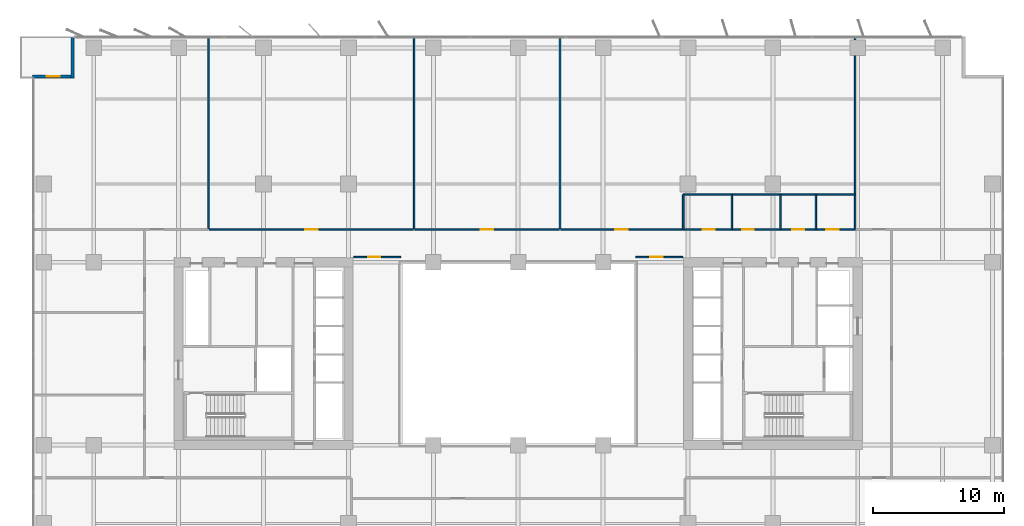
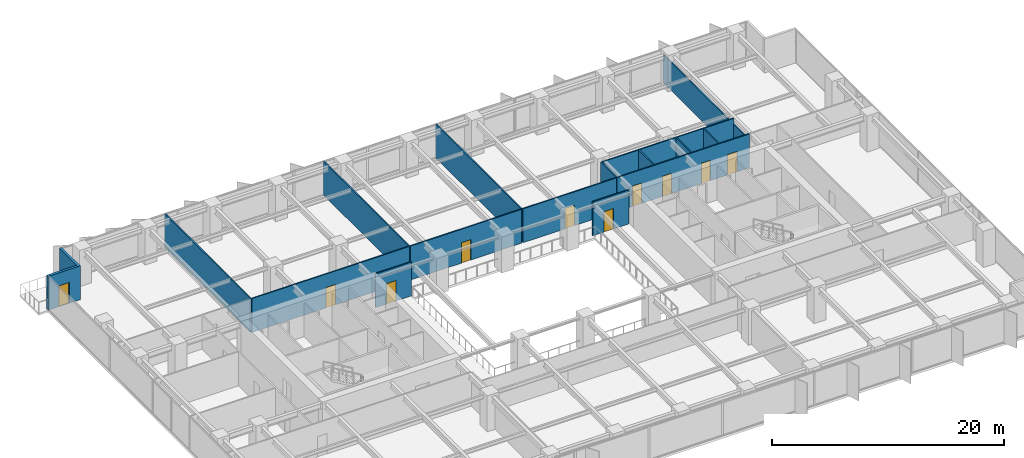
# One storey, part 15 of 20: 17 walls, 10 doors, 10 openings.
"""IFC4 building model written with IfcOpenShell, lengths in metres."""

from ifc_helpers import new_model, si_unit, direction, frame, frame_2d, origin, place, context, subcontext, project, spatial, rectangle, extrude, material, layer, layer_set, type_object, element, fill, save


model = new_model("IFC4")

# Units and contexts
model_context = context("Model", 3, precision=1e-05, world=origin(), true_north=direction((0.0, 1.0)))
body_context = subcontext(model_context, "Body", "Model", "MODEL_VIEW")
ifc_project = project(units=[si_unit("LENGTHUNIT", "METRE"), si_unit("AREAUNIT", "SQUARE_METRE"), si_unit("VOLUMEUNIT", "CUBIC_METRE"), si_unit("PLANEANGLEUNIT", "RADIAN"), si_unit("MASSUNIT", "GRAM", prefix="KILO")], contexts=[model_context])

# Site, building, storey
site_placement = place(None, origin())
site = spatial("IfcSite", under=ifc_project, at=site_placement, CompositionType="ELEMENT")
building_placement = place(site_placement, origin())
building = spatial("IfcBuilding", under=site, at=building_placement, Name="Putna Gate Headquarters", CompositionType="ELEMENT")
storey_placement = place(building_placement, frame((0.0, 0.0, 89.800048828125)))
storey = spatial("IfcBuildingStorey", under=building, at=storey_placement, Name="L21", CompositionType="ELEMENT", Elevation=89.800048828125)

# Wall
ifc_material_1 = material(Name="Precast concrete C40/50", Category="concrete")
ifc_layer_1 = layer(ifc_material_1, 0.239990234375)
ifc_layer_set_1 = layer_set([ifc_layer_1], Name="Precast concrete C40/50")
wall_type_1 = type_object("IfcWallType", Name="WALL-EXT-TERR-240", PredefinedType="STANDARD", material=ifc_layer_set_1)
wall_1_placement = place(storey_placement, frame((4.8798828125, 47.10009765625, 0.0), z_axis=(0.0, 0.0, 1.0), x_axis=(0.0, 1.0, 0.0)))
element("IfcWall", 1, at=wall_1_placement, inside=storey, type_object=wall_type_1, Name="L21 Corner Notch Return Wall NW-V", PredefinedType="STANDARD", context=body_context, shape_type="SweptSolid", body=[
    extrude(rectangle(XDim=3.199951171875, YDim=0.239990234375, at=frame_2d((1.60009765625, 0.0))), origin(), (0.0, 0.0, 1.0), 3.56494140625),
])

# Wall, opening, door
wall_2_placement = place(storey_placement, frame((1.800048828125, 47.219970703125, 0.0), z_axis=(0.0, 0.0, 1.0), x_axis=(1.0, 0.0, 0.0)))
wall_2 = element("IfcWall", 2, at=wall_2_placement, inside=storey, type_object=wall_type_1, Name="L21 Corner Notch Return Wall NW-H", PredefinedType="STANDARD", context=body_context, shape_type="SweptSolid", body=[
    extrude(rectangle(XDim=3.199951171875, YDim=0.239990234375, at=frame_2d((1.60009765625, 0.0))), origin(), (0.0, 0.0, 1.0), 3.56494140625),
])
opening_1_placement = place(wall_2_placement, frame((1.10009765625, 0.0, 0.0)))
opening_1 = element("IfcOpeningElement", 3, at=opening_1_placement, cuts=wall_2, Name="Opening TRD-1", PredefinedType="OPENING", context=body_context, shape_type="SweptSolid", body=[
    extrude(rectangle(XDim=1.0, YDim=2.199951171875, at=frame_2d((0.5, 1.10009765625))), frame((0.0, 0.1298828125, 0.0), z_axis=(0.0, -1.0, 0.0), x_axis=(1.0, 0.0, 0.0)), (0.0, 0.0, 1.0), 0.260009765625),
])
ifc_material_2 = material(Name="Thermally broken bronze glazed terrace door")
door_type_1 = type_object("IfcDoorType", Name="DOOR-TERR-EXT-1000", OperationType="NOTDEFINED", PredefinedType="DOOR", material=ifc_material_2)
door_1_placement = place(opening_1_placement, origin())
door_1 = element("IfcDoor", 4, at=door_1_placement, inside=storey, type_object=door_type_1, Name="L21 Spiral Sky Terrace Door NW", OperationType="SINGLE_SWING_RIGHT", OverallHeight=2.199951171875, OverallWidth=1.0, PredefinedType="DOOR", context=body_context, shape_type="SweptSolid", body=[
    extrude(rectangle(XDim=1.0, YDim=2.199951171875, at=frame_2d((0.5, 1.10009765625))), frame((0.0, 0.02490234375, 0.0), z_axis=(0.0, -1.0, 0.0), x_axis=(1.0, 0.0, 0.0)), (0.0, 0.0, 1.0), 0.050048828125),
])
fill(opening_1, door_1)

ifc_material_3 = material(Name="Acoustic gypsum board on metal stud")
ifc_layer_2 = layer(ifc_material_3, 0.1201171875)
ifc_layer_set_2 = layer_set([ifc_layer_2], Name="Acoustic gypsum board on metal stud")
wall_type_2 = type_object("IfcWallType", Name="WALL-PART-120", PredefinedType="PARTITIONING", material=ifc_layer_set_2)
wall_3_placement = place(storey_placement, frame((26.39990234375, 33.39990234375, 0.0), z_axis=(0.0, 0.0, 1.0), x_axis=(1.0, 0.0, 0.0)))
wall_3 = element("IfcWall", 5, at=wall_3_placement, inside=storey, type_object=wall_type_2, Name="L21 Interior Wall PART-L21-ATR-W-N", PredefinedType="PARTITIONING", context=body_context, shape_type="SweptSolid", body=[
    extrude(rectangle(XDim=3.60009765625, YDim=0.1201171875, at=frame_2d((1.800048828125, 0.0))), origin(), (0.0, 0.0, 1.0), 3.56494140625),
])
opening_2_placement = place(wall_3_placement, frame((1.10009765625, 0.0, 0.0)))
opening_2 = element("IfcOpeningElement", 6, at=opening_2_placement, cuts=wall_3, Name="Opening ID-95", PredefinedType="OPENING", context=body_context, shape_type="SweptSolid", body=[
    extrude(rectangle(XDim=0.949951171875, YDim=2.14990234375, at=frame_2d((0.47509765625, 1.074951171875))), frame((0.0, 0.070068359375, 0.0), z_axis=(0.0, -1.0, 0.0), x_axis=(1.0, 0.0, 0.0)), (0.0, 0.0, 1.0), 0.14013671875),
])
ifc_material_4 = material(Name="Veneered acoustic timber door", Category="wood")
door_type_2 = type_object("IfcDoorType", Name="DOOR-OFF-950", OperationType="NOTDEFINED", PredefinedType="DOOR", material=ifc_material_4)
door_2_placement = place(opening_2_placement, origin())
door_2 = element("IfcDoor", 7, at=door_2_placement, inside=storey, type_object=door_type_2, Name="L21 West Atrium Lounge Door", OperationType="SINGLE_SWING_LEFT", OverallHeight=2.14990234375, OverallWidth=0.949951171875, PredefinedType="DOOR", context=body_context, shape_type="SweptSolid", body=[
    extrude(rectangle(XDim=0.949951171875, YDim=2.14990234375, at=frame_2d((0.47509765625, 1.074951171875))), frame((0.0, 0.02490234375, 0.0), z_axis=(0.0, -1.0, 0.0), x_axis=(1.0, 0.0, 0.0)), (0.0, 0.0, 1.0), 0.050048828125),
])
fill(opening_2, door_2)

wall_4_placement = place(storey_placement, frame((48.0, 33.39990234375, 0.0), z_axis=(0.0, 0.0, 1.0), x_axis=(1.0, 0.0, 0.0)))
wall_4 = element("IfcWall", 8, at=wall_4_placement, inside=storey, type_object=wall_type_2, Name="L21 Interior Wall PART-L21-ATR-E-N", PredefinedType="PARTITIONING", context=body_context, shape_type="SweptSolid", body=[
    extrude(rectangle(XDim=3.60009765625, YDim=0.1201171875, at=frame_2d((1.800048828125, 0.0))), origin(), (0.0, 0.0, 1.0), 3.56494140625),
])
opening_3_placement = place(wall_4_placement, frame((1.10009765625, 0.0, 0.0)))
opening_3 = element("IfcOpeningElement", 9, at=opening_3_placement, cuts=wall_4, Name="Opening ID-95", PredefinedType="OPENING", context=body_context, shape_type="SweptSolid", body=[
    extrude(rectangle(XDim=0.949951171875, YDim=2.14990234375, at=frame_2d((0.47509765625, 1.074951171875))), frame((0.0, 0.070068359375, 0.0), z_axis=(0.0, -1.0, 0.0), x_axis=(1.0, 0.0, 0.0)), (0.0, 0.0, 1.0), 0.14013671875),
])
door_3_placement = place(opening_3_placement, origin())
door_3 = element("IfcDoor", 10, at=door_3_placement, inside=storey, type_object=door_type_2, Name="L21 East Atrium Lounge Door", OperationType="SINGLE_SWING_RIGHT", OverallHeight=2.14990234375, OverallWidth=0.949951171875, PredefinedType="DOOR", context=body_context, shape_type="SweptSolid", body=[
    extrude(rectangle(XDim=0.949951171875, YDim=2.14990234375, at=frame_2d((0.47509765625, 1.074951171875))), frame((0.0, 0.02490234375, 0.0), z_axis=(0.0, -1.0, 0.0), x_axis=(1.0, 0.0, 0.0)), (0.0, 0.0, 1.0), 0.050048828125),
])
fill(opening_3, door_3)

# Walls
for number, where, z_axis, x_axis, name in (
    (11, (15.277099609375, 35.56005859375, 0.0), (0.0, 0.0, 1.0), (0.0, 1.0, 0.0), "L21 Interior Wall PART-L21-NB-DIV-01"),
    (12, (31.036865234375, 35.56005859375, 0.0), (0.0, 0.0, 1.0), (0.0, 1.0, 0.0), "L21 Interior Wall PART-L21-NB-DIV-02"),
    (13, (42.199951171875, 35.56005859375, 0.0), (0.0, 0.0, 1.0), (0.0, 1.0, 0.0), "L21 Interior Wall PART-L21-NB-DIV-03"),
):
    element("IfcWall", number, at=place(storey_placement, frame(where, z_axis=z_axis, x_axis=x_axis)), inside=storey, type_object=wall_type_2, Name=name, PredefinedType="PARTITIONING", context=body_context, shape_type="SweptSolid", body=[
        extrude(rectangle(XDim=14.719970703125, YDim=0.1201171875, at=frame_2d((7.35986328125, 0.0))), origin(), (0.0, 0.0, 1.0), 3.56494140625),
    ])
wall_5_placement = place(storey_placement, frame((64.800048828125, 35.56005859375, 0.0), z_axis=(0.0, 0.0, 1.0), x_axis=(0.0, 1.0, 0.0)))
element("IfcWall", 14, at=wall_5_placement, inside=storey, type_object=wall_type_2, Name="L21 Interior Wall PART-L21-NB-DIV-04", PredefinedType="PARTITIONING", context=body_context, shape_type="SweptSolid", body=[
    extrude(rectangle(XDim=14.719970703125, YDim=0.1201171875, at=frame_2d((7.35986328125, 0.0))), origin(), (0.0, 0.0, 1.0), 2.96484375),
])

# Wall, openings, doors
ifc_material_5 = material(Name="Fire-rated gypsum board on metal stud")
ifc_layer_3 = layer(ifc_material_5, 0.1201171875)
ifc_layer_set_3 = layer_set([ifc_layer_3], Name="Fire-rated gypsum board on metal stud")
wall_type_3 = type_object("IfcWallType", Name="WALL-PART-120-RATED", PredefinedType="PARTITIONING", material=ifc_layer_set_3)
wall_6_placement = place(storey_placement, frame((51.639892578125, 35.5, 0.0), z_axis=(0.0, 0.0, 1.0), x_axis=(1.0, 0.0, 0.0)))
wall_6 = element("IfcWall", 15, at=wall_6_placement, inside=storey, type_object=wall_type_3, Name="L21 Interior Wall PART-L21-SAN-CW", PredefinedType="PARTITIONING", context=body_context, shape_type="SweptSolid", body=[
    extrude(rectangle(XDim=13.16015625, YDim=0.1201171875, at=frame_2d((6.580078125, 0.0))), origin(), (0.0, 0.0, 1.0), 3.56494140625),
])
opening_4_placement = place(wall_6_placement, frame((1.510009765625, 0.0, 0.0)))
opening_4 = element("IfcOpeningElement", 16, at=opening_4_placement, cuts=wall_6, Name="Opening FD-90", PredefinedType="OPENING", context=body_context, shape_type="SweptSolid", body=[
    extrude(rectangle(XDim=0.89990234375, YDim=2.14990234375, at=frame_2d((0.449951171875, 1.074951171875))), frame((0.0, 0.070068359375, 0.0), z_axis=(0.0, -1.0, 0.0), x_axis=(1.0, 0.0, 0.0)), (0.0, 0.0, 1.0), 0.14013671875),
])
opening_5_placement = place(wall_6_placement, frame((4.510009765625, 0.0, 0.0)))
opening_5 = element("IfcOpeningElement", 17, at=opening_5_placement, cuts=wall_6, Name="Opening FD-90", PredefinedType="OPENING", context=body_context, shape_type="SweptSolid", body=[
    extrude(rectangle(XDim=0.89990234375, YDim=2.14990234375, at=frame_2d((0.449951171875, 1.074951171875))), frame((0.0, 0.070068359375, 0.0), z_axis=(0.0, -1.0, 0.0), x_axis=(1.0, 0.0, 0.0)), (0.0, 0.0, 1.0), 0.14013671875),
])
opening_6_placement = place(wall_6_placement, frame((8.360107421875, 0.0, 0.0)))
opening_6 = element("IfcOpeningElement", 18, at=opening_6_placement, cuts=wall_6, Name="Opening FD-90", PredefinedType="OPENING", context=body_context, shape_type="SweptSolid", body=[
    extrude(rectangle(XDim=0.89990234375, YDim=2.14990234375, at=frame_2d((0.449951171875, 1.074951171875))), frame((0.0, 0.070068359375, 0.0), z_axis=(0.0, -1.0, 0.0), x_axis=(1.0, 0.0, 0.0)), (0.0, 0.0, 1.0), 0.14013671875),
])
opening_7_placement = place(wall_6_placement, frame((10.9599609375, 0.0, 0.0)))
opening_7 = element("IfcOpeningElement", 19, at=opening_7_placement, cuts=wall_6, Name="Opening FD-95", PredefinedType="OPENING", context=body_context, shape_type="SweptSolid", body=[
    extrude(rectangle(XDim=0.949951171875, YDim=2.14990234375, at=frame_2d((0.47509765625, 1.074951171875))), frame((0.0, 0.070068359375, 0.0), z_axis=(0.0, -1.0, 0.0), x_axis=(1.0, 0.0, 0.0)), (0.0, 0.0, 1.0), 0.14013671875),
])
ifc_material_6 = material(Name="Acoustic washroom fire door")
door_type_3 = type_object("IfcDoorType", Name="DOOR-FIRE-900", OperationType="NOTDEFINED", PredefinedType="DOOR", material=ifc_material_6)
door_4_placement = place(opening_4_placement, origin())
door_4 = element("IfcDoor", 20, at=door_4_placement, inside=storey, type_object=door_type_3, Name="L21 Washroom Male Door", OperationType="SINGLE_SWING_LEFT", OverallHeight=2.14990234375, OverallWidth=0.89990234375, PredefinedType="DOOR", context=body_context, shape_type="SweptSolid", body=[
    extrude(rectangle(XDim=0.89990234375, YDim=2.14990234375, at=frame_2d((0.449951171875, 1.074951171875))), frame((0.0, 0.02490234375, 0.0), z_axis=(0.0, -1.0, 0.0), x_axis=(1.0, 0.0, 0.0)), (0.0, 0.0, 1.0), 0.050048828125),
])
fill(opening_4, door_4)
door_5_placement = place(opening_5_placement, origin())
door_5 = element("IfcDoor", 21, at=door_5_placement, inside=storey, type_object=door_type_3, Name="L21 Washroom Female Door", OperationType="SINGLE_SWING_RIGHT", OverallHeight=2.14990234375, OverallWidth=0.89990234375, PredefinedType="DOOR", context=body_context, shape_type="SweptSolid", body=[
    extrude(rectangle(XDim=0.89990234375, YDim=2.14990234375, at=frame_2d((0.449951171875, 1.074951171875))), frame((0.0, 0.02490234375, 0.0), z_axis=(0.0, -1.0, 0.0), x_axis=(1.0, 0.0, 0.0)), (0.0, 0.0, 1.0), 0.050048828125),
])
fill(opening_5, door_5)
door_6_placement = place(opening_6_placement, origin())
door_6 = element("IfcDoor", 22, at=door_6_placement, inside=storey, type_object=door_type_3, Name="L21 Accessible WC Door", OperationType="SINGLE_SWING_LEFT", OverallHeight=2.14990234375, OverallWidth=0.89990234375, PredefinedType="DOOR", context=body_context, shape_type="SweptSolid", body=[
    extrude(rectangle(XDim=0.89990234375, YDim=2.14990234375, at=frame_2d((0.449951171875, 1.074951171875))), frame((0.0, 0.02490234375, 0.0), z_axis=(0.0, -1.0, 0.0), x_axis=(1.0, 0.0, 0.0)), (0.0, 0.0, 1.0), 0.050048828125),
])
fill(opening_6, door_6)
ifc_material_7 = material(Name="Acoustic timber fire door", Category="wood")
door_type_4 = type_object("IfcDoorType", Name="DOOR-FIRE-950", OperationType="NOTDEFINED", PredefinedType="DOOR", material=ifc_material_7)
door_7_placement = place(opening_7_placement, origin())
door_7 = element("IfcDoor", 23, at=door_7_placement, inside=storey, type_object=door_type_4, Name="L21 Staff Pantry and Tea Point Door", OperationType="SINGLE_SWING_RIGHT", OverallHeight=2.14990234375, OverallWidth=0.949951171875, PredefinedType="DOOR", context=body_context, shape_type="SweptSolid", body=[
    extrude(rectangle(XDim=0.949951171875, YDim=2.14990234375, at=frame_2d((0.47509765625, 1.074951171875))), frame((0.0, 0.02490234375, 0.0), z_axis=(0.0, -1.0, 0.0), x_axis=(1.0, 0.0, 0.0)), (0.0, 0.0, 1.0), 0.050048828125),
])
fill(opening_7, door_7)

# Walls
wall_7_placement = place(storey_placement, frame((51.639892578125, 38.179931640625, 0.0), z_axis=(0.0, 0.0, 1.0), x_axis=(1.0, 0.0, 0.0)))
element("IfcWall", 24, at=wall_7_placement, inside=storey, type_object=wall_type_3, Name="L21 Interior Wall PART-L21-SAN-BACK", PredefinedType="PARTITIONING", context=body_context, shape_type="SweptSolid", body=[
    extrude(rectangle(XDim=13.16015625, YDim=0.1201171875, at=frame_2d((6.580078125, 0.0))), origin(), (0.0, 0.0, 1.0), 3.56494140625),
])
for number, where, z_axis, x_axis, name in (
    (25, (51.639892578125, 35.5, 0.0), (0.0, 0.0, 1.0), (0.0, 1.0, 0.0), "L21 Interior Wall PART-L21-SAN-DIV-1"),
    (26, (55.360107421875, 35.5, 0.0), (0.0, 0.0, 1.0), (0.0, 1.0, 0.0), "L21 Interior Wall PART-L21-SAN-DIV-2"),
    (27, (59.080078125, 35.5, 0.0), (0.0, 0.0, 1.0), (0.0, 1.0, 0.0), "L21 Interior Wall PART-L21-SAN-DIV-3"),
    (28, (61.800048828125, 35.5, 0.0), (0.0, 0.0, 1.0), (0.0, 1.0, 0.0), "L21 Interior Wall PART-L21-SAN-DIV-4"),
):
    element("IfcWall", number, at=place(storey_placement, frame(where, z_axis=z_axis, x_axis=x_axis)), inside=storey, type_object=wall_type_3, Name=name, PredefinedType="PARTITIONING", context=body_context, shape_type="SweptSolid", body=[
        extrude(rectangle(XDim=2.679931640625, YDim=0.1201171875, at=frame_2d((1.33984375, 0.0))), origin(), (0.0, 0.0, 1.0), 3.56494140625),
    ])

# Wall, opening, door
wall_8_placement = place(storey_placement, frame((15.337158203125, 35.5, 0.0), z_axis=(0.0, 0.0, 1.0), x_axis=(1.0, 0.0, 0.0)))
wall_8 = element("IfcWall", 29, at=wall_8_placement, inside=storey, type_object=wall_type_3, Name="L21 Interior Wall PART-L21-NB-CW-02", PredefinedType="PARTITIONING", context=body_context, shape_type="SweptSolid", body=[
    extrude(rectangle(XDim=15.6396484375, YDim=0.1201171875, at=frame_2d((7.81982421875, 0.0))), origin(), (0.0, 0.0, 1.0), 3.56494140625),
])
opening_8_placement = place(wall_8_placement, frame((7.344970703125, 0.0, 0.0)))
opening_8 = element("IfcOpeningElement", 30, at=opening_8_placement, cuts=wall_8, Name="Opening FD-95", PredefinedType="OPENING", context=body_context, shape_type="SweptSolid", body=[
    extrude(rectangle(XDim=0.949951171875, YDim=2.14990234375, at=frame_2d((0.47509765625, 1.074951171875))), frame((0.0, 0.070068359375, 0.0), z_axis=(0.0, -1.0, 0.0), x_axis=(1.0, 0.0, 0.0)), (0.0, 0.0, 1.0), 0.14013671875),
])
door_8_placement = place(opening_8_placement, origin())
door_8 = element("IfcDoor", 31, at=door_8_placement, inside=storey, type_object=door_type_4, Name="L21 Quiet Wellness Focus Studio 1 Door", OperationType="SINGLE_SWING_RIGHT", OverallHeight=2.14990234375, OverallWidth=0.949951171875, PredefinedType="DOOR", context=body_context, shape_type="SweptSolid", body=[
    extrude(rectangle(XDim=0.949951171875, YDim=2.14990234375, at=frame_2d((0.47509765625, 1.074951171875))), frame((0.0, 0.02490234375, 0.0), z_axis=(0.0, -1.0, 0.0), x_axis=(1.0, 0.0, 0.0)), (0.0, 0.0, 1.0), 0.050048828125),
])
fill(opening_8, door_8)

wall_9_placement = place(storey_placement, frame((31.096923828125, 35.5, 0.0), z_axis=(0.0, 0.0, 1.0), x_axis=(1.0, 0.0, 0.0)))
wall_9 = element("IfcWall", 32, at=wall_9_placement, inside=storey, type_object=wall_type_3, Name="L21 Interior Wall PART-L21-NB-CW-03", PredefinedType="PARTITIONING", context=body_context, shape_type="SweptSolid", body=[
    extrude(rectangle(XDim=11.04296875, YDim=0.1201171875, at=frame_2d((5.521484375, 0.0))), origin(), (0.0, 0.0, 1.0), 3.56494140625),
])
opening_9_placement = place(wall_9_placement, frame((5.04638671875, 0.0, 0.0)))
opening_9 = element("IfcOpeningElement", 33, at=opening_9_placement, cuts=wall_9, Name="Opening FD-95", PredefinedType="OPENING", context=body_context, shape_type="SweptSolid", body=[
    extrude(rectangle(XDim=0.949951171875, YDim=2.14990234375, at=frame_2d((0.47509765625, 1.074951171875))), frame((0.0, 0.070068359375, 0.0), z_axis=(0.0, -1.0, 0.0), x_axis=(1.0, 0.0, 0.0)), (0.0, 0.0, 1.0), 0.14013671875),
])
door_9_placement = place(opening_9_placement, origin())
door_9 = element("IfcDoor", 34, at=door_9_placement, inside=storey, type_object=door_type_4, Name="L21 Quiet Wellness Focus Studio 2 Door", OperationType="SINGLE_SWING_LEFT", OverallHeight=2.14990234375, OverallWidth=0.949951171875, PredefinedType="DOOR", context=body_context, shape_type="SweptSolid", body=[
    extrude(rectangle(XDim=0.949951171875, YDim=2.14990234375, at=frame_2d((0.47509765625, 1.074951171875))), frame((0.0, 0.02490234375, 0.0), z_axis=(0.0, -1.0, 0.0), x_axis=(1.0, 0.0, 0.0)), (0.0, 0.0, 1.0), 0.050048828125),
])
fill(opening_9, door_9)

wall_10_placement = place(storey_placement, frame((42.260009765625, 35.5, 0.0), z_axis=(0.0, 0.0, 1.0), x_axis=(1.0, 0.0, 0.0)))
wall_10 = element("IfcWall", 35, at=wall_10_placement, inside=storey, type_object=wall_type_3, Name="L21 Interior Wall PART-L21-NB-CW-04", PredefinedType="PARTITIONING", context=body_context, shape_type="SweptSolid", body=[
    extrude(rectangle(XDim=9.320068359375, YDim=0.1201171875, at=frame_2d((4.66015625, 0.0))), origin(), (0.0, 0.0, 1.0), 3.56494140625),
])
opening_10_placement = place(wall_10_placement, frame((4.18505859375, 0.0, 0.0)))
opening_10 = element("IfcOpeningElement", 36, at=opening_10_placement, cuts=wall_10, Name="Opening FD-95", PredefinedType="OPENING", context=body_context, shape_type="SweptSolid", body=[
    extrude(rectangle(XDim=0.949951171875, YDim=2.14990234375, at=frame_2d((0.47509765625, 1.074951171875))), frame((0.0, 0.070068359375, 0.0), z_axis=(0.0, -1.0, 0.0), x_axis=(1.0, 0.0, 0.0)), (0.0, 0.0, 1.0), 0.14013671875),
])
door_10_placement = place(opening_10_placement, origin())
door_10 = element("IfcDoor", 37, at=door_10_placement, inside=storey, type_object=door_type_4, Name="L21 Primary Open Office Workplace Door", OperationType="SINGLE_SWING_RIGHT", OverallHeight=2.14990234375, OverallWidth=0.949951171875, PredefinedType="DOOR", context=body_context, shape_type="SweptSolid", body=[
    extrude(rectangle(XDim=0.949951171875, YDim=2.14990234375, at=frame_2d((0.47509765625, 1.074951171875))), frame((0.0, 0.02490234375, 0.0), z_axis=(0.0, -1.0, 0.0), x_axis=(1.0, 0.0, 0.0)), (0.0, 0.0, 1.0), 0.050048828125),
])
fill(opening_10, door_10)

save(model, "model.ifc")
